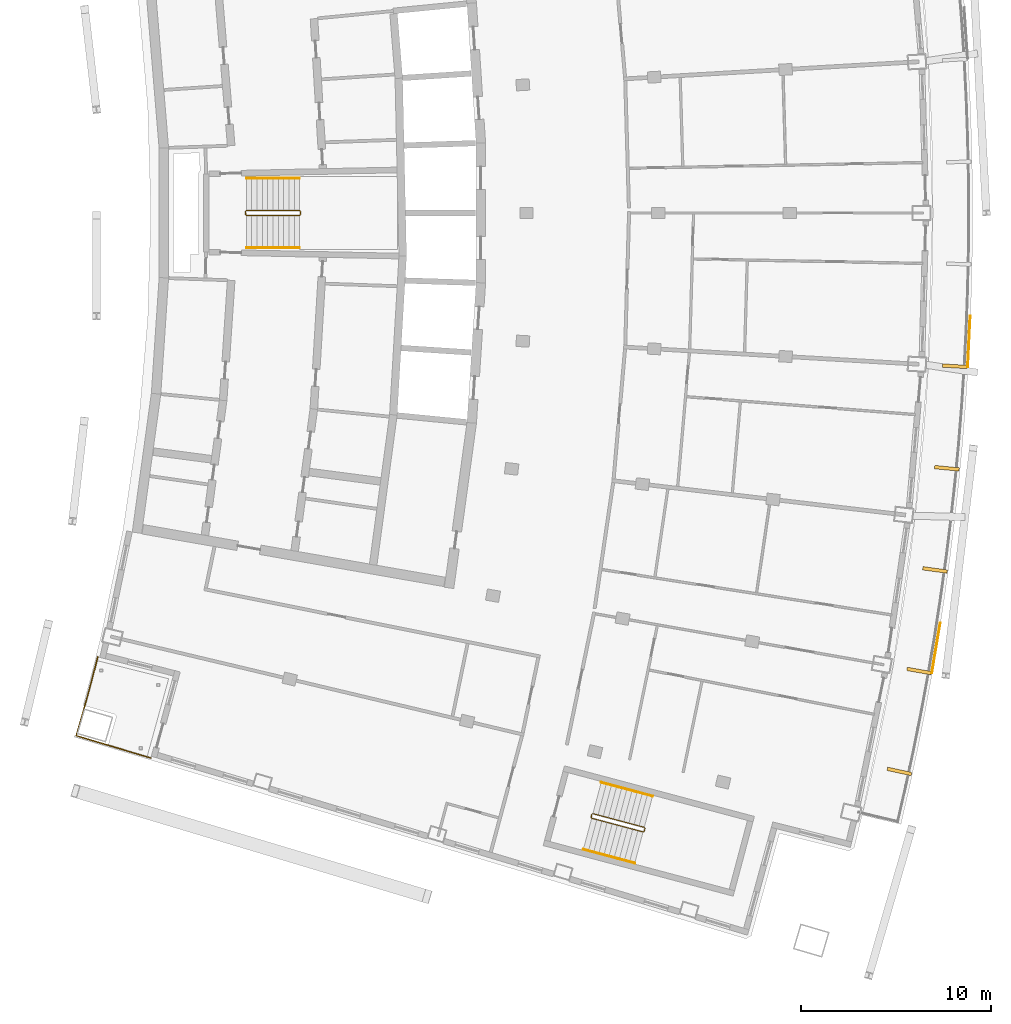
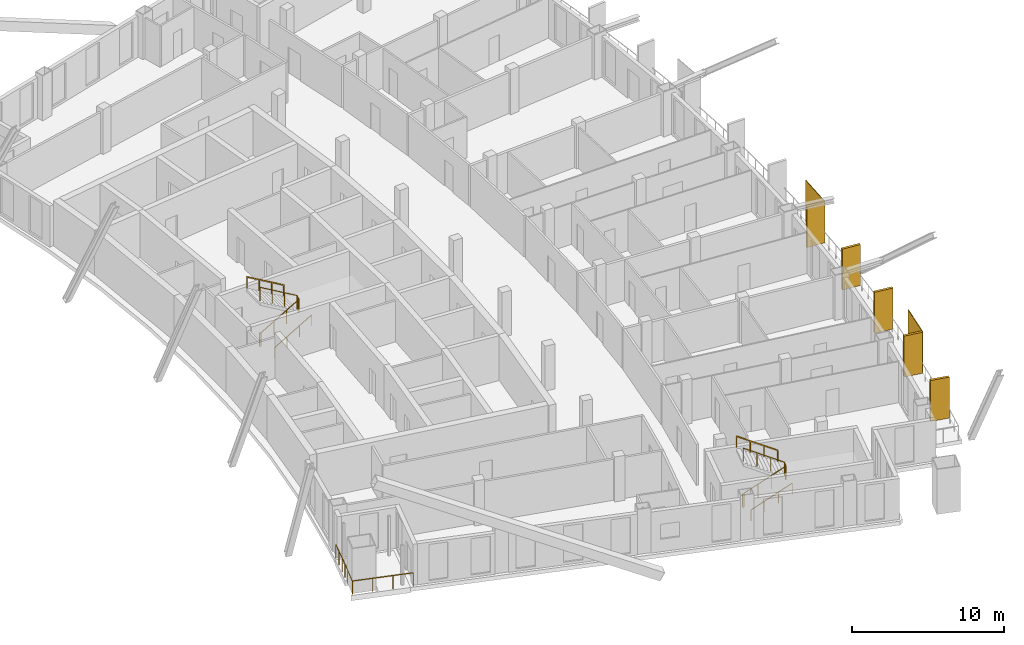
# One storey, part 15 of 17: 7 railings, 7 shading devices.
"""IFC4 building model written with IfcOpenShell, lengths in metres."""

from ifc_helpers import new_model, si_unit, direction, frame, origin, origin_with_axes, origin_2d, place, context, subcontext, project, spatial, rectangle, extrude, material, layer, layer_set, type_object, element, save


model = new_model("IFC4")

# Units and contexts
model_context = context("Model", 3, precision=1e-05, world=origin(), true_north=direction((0.0, 1.0)))
body_context = subcontext(model_context, "Body", "Model", "MODEL_VIEW")
ifc_project = project(units=[si_unit("LENGTHUNIT", "METRE"), si_unit("AREAUNIT", "SQUARE_METRE"), si_unit("VOLUMEUNIT", "CUBIC_METRE"), si_unit("PLANEANGLEUNIT", "RADIAN"), si_unit("MASSUNIT", "GRAM", prefix="KILO")], contexts=[model_context])

# Site, building, storey
site_placement = place(None, origin())
site = spatial("IfcSite", under=ifc_project, at=site_placement, CompositionType="ELEMENT")
building_placement = place(site_placement, origin())
building = spatial("IfcBuilding", under=site, at=building_placement, Name="Alderwake Tower", CompositionType="ELEMENT")
storey_placement = place(building_placement, frame((0.0, 0.0, 256.39990234375)))
storey = spatial("IfcBuildingStorey", under=building, at=storey_placement, Name="L63", CompositionType="ELEMENT", Elevation=256.39990234375)

# Railing
ifc_material_1 = material(Name="Stainless steel 316 rail and posts", Category="steel")
railing_type_1 = type_object("IfcRailingType", Name="Balcony guard 1100", PredefinedType="GUARDRAIL", material=ifc_material_1)
railing_1_placement = place(storey_placement, frame((13.210693359375, 37.612548828125, 0.0)))
element("IfcRailing", 1, at=railing_1_placement, inside=storey, type_object=railing_type_1, Name="Guard terrace RS", PredefinedType="GUARDRAIL", context=body_context, shape_type="SweptSolid", body=[
    extrude(rectangle(XDim=0.048095703125, YDim=0.048095703125, at=origin_2d()), frame((0.0, 0.0, 1.076171875), z_axis=(-0.251385381433, -0.967887075026, 0.0), x_axis=(0.967887075026, -0.251385381433, 0.0)), (0.0, 0.0, 1.0), 1.6015625),
    extrude(rectangle(XDim=0.048095703125, YDim=0.048095703125, at=origin_2d()), frame((-0.402587890625, -1.550048828125, 1.076171875), z_axis=(-0.266520638672, -0.963829211615, 0.0), x_axis=(0.963829211615, -0.266520638672, 0.0)), (0.0, 0.0, 1.0), 1.401611328125),
    extrude(rectangle(XDim=0.048095703125, YDim=0.048095703125, at=origin_2d()), frame((-0.776123046875, -2.90087890625, 1.076171875), z_axis=(-0.280093650878, -0.959972680204, 0.0), x_axis=(0.959972680204, -0.280093650878, 0.0)), (0.0, 0.0, 1.0), 1.30126953125),
    extrude(rectangle(XDim=0.048095703125, YDim=0.048095703125, at=origin_2d()), frame((-1.140625, -4.150146484375, 1.076171875), z_axis=(0.958066871889, -0.286544706789, 0.0), x_axis=(0.286544706789, 0.958066871889, 0.0)), (0.0, 0.0, 1.0), 4.099853515625),
    extrude(rectangle(XDim=0.0419921875, YDim=0.0419921875, at=origin_2d()), frame((0.0, 0.0, 0.0), z_axis=(0.0, 0.0, 1.0), x_axis=(-0.251385381433, -0.967887075026, 0.0)), (0.0, 0.0, 1.0), 1.052001953125),
    extrude(rectangle(XDim=0.0419921875, YDim=0.0419921875, at=origin_2d()), frame((-0.201171875, -0.77490234375, 0.0), z_axis=(0.0, 0.0, 1.0), x_axis=(-0.251385381433, -0.967887075026, 0.0)), (0.0, 0.0, 1.0), 1.052001953125),
    extrude(rectangle(XDim=0.0419921875, YDim=0.0419921875, at=origin_2d()), frame((-0.402587890625, -1.550048828125, 0.0), z_axis=(0.0, 0.0, 1.0), x_axis=(-0.266520638672, -0.963829211615, 0.0)), (0.0, 0.0, 1.0), 1.052001953125),
    extrude(rectangle(XDim=0.0419921875, YDim=0.0419921875, at=origin_2d()), frame((-0.58935546875, -2.2255859375, 0.0), z_axis=(0.0, 0.0, 1.0), x_axis=(-0.266520638672, -0.963829211615, 0.0)), (0.0, 0.0, 1.0), 1.052001953125),
    extrude(rectangle(XDim=0.0419921875, YDim=0.0419921875, at=origin_2d()), frame((-0.776123046875, -2.90087890625, 0.0), z_axis=(0.0, 0.0, 1.0), x_axis=(-0.280093650878, -0.959972680204, 0.0)), (0.0, 0.0, 1.0), 1.052001953125),
    extrude(rectangle(XDim=0.0419921875, YDim=0.0419921875, at=origin_2d()), frame((-1.140625, -4.150146484375, 0.0), z_axis=(0.0, 0.0, 1.0), x_axis=(0.958066871889, -0.286544706789, 0.0)), (0.0, 0.0, 1.0), 1.052001953125),
    extrude(rectangle(XDim=0.0419921875, YDim=0.0419921875, at=origin_2d()), frame((0.168701171875, -4.541748046875, 0.0), z_axis=(0.0, 0.0, 1.0), x_axis=(0.958066871889, -0.286544706789, 0.0)), (0.0, 0.0, 1.0), 1.052001953125),
    extrude(rectangle(XDim=0.0419921875, YDim=0.0419921875, at=origin_2d()), frame((1.47802734375, -4.933349609375, 0.0), z_axis=(0.0, 0.0, 1.0), x_axis=(0.958066871889, -0.286544706789, 0.0)), (0.0, 0.0, 1.0), 1.052001953125),
    extrude(rectangle(XDim=0.0419921875, YDim=0.0419921875, at=origin_2d()), frame((2.787353515625, -5.324951171875, 0.0), z_axis=(0.0, 0.0, 1.0), x_axis=(0.958066871889, -0.286544706789, 0.0)), (0.0, 0.0, 1.0), 1.052001953125),
])

# Shading devices
ifc_material_2 = material(Name="Bronze anodised aluminium", Category="aluminium")
ifc_layer_1 = layer(ifc_material_2, 0.179931640625)
ifc_layer_set_1 = layer_set([ifc_layer_1], Name="Facade fin 1300")
shading_device_type_1 = type_object("IfcShadingDeviceType", Name="Facade fin 1300", PredefinedType="USERDEFINED", material=ifc_layer_set_1)
for number, where, z_axis, x_axis, name in (
    (2, (55.44140625, 31.5791015625, 0.0), (0.0, 0.0, 1.0), (0.977210363881, -0.212273184185, 0.0), "Fin"),
    (3, (56.483154296875, 36.86865234375, 0.0), (0.0, 0.0, 1.0), (0.984726421654, -0.174108800747, 0.0), "Fin"),
    (4, (57.318359375, 42.194580078125, 0.0), (0.0, 0.0, 1.0), (0.990752577235, -0.135680988728, 0.0), "Fin"),
    (5, (57.94580078125, 47.54931640625, 0.0), (0.0, 0.0, 1.0), (0.995279882363, -0.097046152751, 0.0), "Fin"),
    (6, (58.364501953125, 52.92431640625, 0.0), (0.0, 0.0, 1.0), (0.998301080988, -0.058266214038, 0.0), "Fin"),
):
    element("IfcShadingDevice", number, at=place(storey_placement, frame(where, z_axis=z_axis, x_axis=x_axis)), inside=storey, type_object=shading_device_type_1, Name=name, ObjectType="FIN", PredefinedType="USERDEFINED", context=body_context, shape_type="SweptSolid", body=[
        extrude(rectangle(XDim=1.300048828125, YDim=0.179931640625, at=origin_2d()), origin(), (0.0, 0.0, 1.0), 3.280029296875),
    ])
ifc_material_3 = material(Name="Perforated bronze anodised aluminium", Category="aluminium")
ifc_layer_2 = layer(ifc_material_3, 0.050048828125)
ifc_layer_set_2 = layer_set([ifc_layer_2], Name="Perforated screen panel")
shading_device_type_2 = type_object("IfcShadingDeviceType", Name="Perforated screen panel", PredefinedType="USERDEFINED", material=ifc_layer_set_2)
for number, where, z_axis, x_axis, name in (
    (7, (57.3701171875, 38.08349609375, 0.0), (0.0, 0.0, 1.0), (0.986369013299, -0.164548380739, 0.0), "Screen panel"),
    (8, (59.10400390625, 54.234130859375, 0.0), (0.0, 0.0, 1.0), (0.998819231138, -0.048581308217, 0.0), "Screen panel"),
):
    element("IfcShadingDevice", number, at=place(storey_placement, frame(where, z_axis=z_axis, x_axis=x_axis)), inside=storey, type_object=shading_device_type_2, Name=name, ObjectType="SCREEN", PredefinedType="USERDEFINED", context=body_context, shape_type="SweptSolid", body=[
        extrude(rectangle(XDim=0.050048828125, YDim=2.701904296875, at=origin_2d()), origin(), (0.0, 0.0, 1.0), 3.280029296875),
    ])

# Railings
ifc_material_4 = material(Name="Stainless steel guard", Category="steel")
railing_type_2 = type_object("IfcRailingType", Name="Stair guard 1100", PredefinedType="GUARDRAIL", material=ifc_material_4)
railing_2_placement = place(storey_placement, frame((20.989990234375, 60.925048828125, 0.0)))
element("IfcRailing", 9, at=railing_2_placement, inside=storey, type_object=railing_type_2, Name="L63 ST-B stair guard 1", PredefinedType="GUARDRAIL", context=body_context, shape_type="SweptSolid", body=[
    extrude(rectangle(XDim=0.048095703125, YDim=0.048095703125, at=origin_2d()), frame((0.0, 0.0, 1.076171875), z_axis=(0.0, 1.0, 0.0), x_axis=(-1.0, 0.0, 0.0)), (0.0, 0.0, 1.0), 0.14990234375),
    extrude(rectangle(XDim=0.048095703125, YDim=0.048095703125, at=origin_2d()), frame((0.0, 0.14990234375, 1.076171875), z_axis=(0.190089865108, -0.759432192796, 0.622196582865), x_axis=(0.970072785993, 0.242814311512, 0.0)), (0.0, 0.0, 1.0), 0.26318359375),
    extrude(rectangle(XDim=0.048095703125, YDim=0.048095703125, at=origin_2d()), frame((0.050048828125, -0.050048828125, 1.23974609375), z_axis=(0.863393664356, 0.0, 0.504530851732), x_axis=(0.0, 1.0, 0.0)), (0.0, 0.0, 1.0), 3.2431640625),
    extrude(rectangle(XDim=0.048095703125, YDim=0.048095703125, at=origin_2d()), frame((2.85009765625, -0.050048828125, 2.8759765625), z_axis=(0.705375805398, 0.708833529934, 0.0), x_axis=(-0.708833529934, 0.705375805398, 0.0)), (0.0, 0.0, 1.0), 0.070556640625),
    extrude(rectangle(XDim=0.048095703125, YDim=0.048095703125, at=origin_2d()), frame((2.89990234375, 0.0, 2.8759765625), z_axis=(0.0, 1.0, 0.0), x_axis=(-1.0, 0.0, 0.0)), (0.0, 0.0, 1.0), 0.14990234375),
    extrude(rectangle(XDim=0.048095703125, YDim=0.048095703125, at=origin_2d()), frame((2.89990234375, 0.14990234375, 2.8759765625), z_axis=(-0.279546231943, 0.280916556609, 0.91811752648), x_axis=(-0.708833529934, -0.705375805398, 0.0)), (0.0, 0.0, 1.0), 0.17822265625),
    extrude(rectangle(XDim=0.048095703125, YDim=0.048095703125, at=origin_2d()), frame((2.85009765625, 0.199951171875, 3.03955078125), z_axis=(-0.863360870873, 0.0, 0.504586966384), x_axis=(0.0, -1.0, 0.0)), (0.0, 0.0, 1.0), 3.2431640625),
    extrude(rectangle(XDim=0.0419921875, YDim=0.0419921875, at=origin_2d()), frame((0.0, 0.0, 0.0), z_axis=(0.0, 0.0, 1.0), x_axis=(0.0, 1.0, 0.0)), (0.0, 0.0, 1.0), 1.052001953125),
    extrude(rectangle(XDim=0.0419921875, YDim=0.0419921875, at=origin_2d()), frame((0.0, 0.14990234375, 0.0), z_axis=(0.0, 0.0, 1.0), x_axis=(0.242814311512, -0.970072785993, 0.0)), (0.0, 0.0, 1.0), 1.052001953125),
    extrude(rectangle(XDim=0.0419921875, YDim=0.0419921875, at=origin_2d()), frame((0.050048828125, -0.050048828125, 0.163818359375), z_axis=(0.0, 0.0, 1.0), x_axis=(1.0, 0.0, 0.0)), (0.0, 0.0, 1.0), 1.052001953125),
    extrude(rectangle(XDim=0.0419921875, YDim=0.0419921875, at=origin_2d()), frame((0.9833984375, -0.050048828125, 0.709228515625), z_axis=(0.0, 0.0, 1.0), x_axis=(1.0, 0.0, 0.0)), (0.0, 0.0, 1.0), 1.052001953125),
    extrude(rectangle(XDim=0.0419921875, YDim=0.0419921875, at=origin_2d()), frame((1.916748046875, -0.050048828125, 1.254638671875), z_axis=(0.0, 0.0, 1.0), x_axis=(1.0, 0.0, 0.0)), (0.0, 0.0, 1.0), 1.052001953125),
    extrude(rectangle(XDim=0.0419921875, YDim=0.0419921875, at=origin_2d()), frame((2.85009765625, -0.050048828125, 1.800048828125), z_axis=(0.0, 0.0, 1.0), x_axis=(0.705375805398, 0.708833529934, 0.0)), (0.0, 0.0, 1.0), 1.052001953125),
    extrude(rectangle(XDim=0.0419921875, YDim=0.0419921875, at=origin_2d()), frame((2.89990234375, 0.0, 1.800048828125), z_axis=(0.0, 0.0, 1.0), x_axis=(0.0, 1.0, 0.0)), (0.0, 0.0, 1.0), 1.052001953125),
    extrude(rectangle(XDim=0.0419921875, YDim=0.0419921875, at=origin_2d()), frame((2.89990234375, 0.14990234375, 1.800048828125), z_axis=(0.0, 0.0, 1.0), x_axis=(-0.705375805398, 0.708833529934, 0.0)), (0.0, 0.0, 1.0), 1.052001953125),
    extrude(rectangle(XDim=0.0419921875, YDim=0.0419921875, at=origin_2d()), frame((2.85009765625, 0.199951171875, 1.963623046875), z_axis=(0.0, 0.0, 1.0), x_axis=(-1.0, 0.0, 0.0)), (0.0, 0.0, 1.0), 1.052001953125),
    extrude(rectangle(XDim=0.0419921875, YDim=0.0419921875, at=origin_2d()), frame((1.916748046875, 0.199951171875, 2.509033203125), z_axis=(0.0, 0.0, 1.0), x_axis=(-1.0, 0.0, 0.0)), (0.0, 0.0, 1.0), 1.052001953125),
    extrude(rectangle(XDim=0.0419921875, YDim=0.0419921875, at=origin_2d()), frame((0.9833984375, 0.199951171875, 3.0546875), z_axis=(0.0, 0.0, 1.0), x_axis=(-1.0, 0.0, 0.0)), (0.0, 0.0, 1.0), 1.052001953125),
    extrude(rectangle(XDim=0.0419921875, YDim=0.0419921875, at=origin_2d()), frame((0.050048828125, 0.199951171875, 3.60009765625), z_axis=(0.0, 0.0, 1.0), x_axis=(-1.0, 0.0, 0.0)), (0.0, 0.0, 1.0), 1.052001953125),
])
railing_3_placement = place(storey_placement, frame((39.1943359375, 29.17431640625, 0.0)))
element("IfcRailing", 10, at=railing_3_placement, inside=storey, type_object=railing_type_2, Name="L63 ST-C stair guard 1", PredefinedType="GUARDRAIL", context=body_context, shape_type="SweptSolid", body=[
    extrude(rectangle(XDim=0.048095703125, YDim=0.048095703125, at=origin_2d()), frame((0.0, 0.0, 1.076171875), z_axis=(0.257459803502, 0.966289009345, 0.0), x_axis=(-0.966289009345, 0.257459803502, 0.0)), (0.0, 0.0, 1.0), 0.14990234375),
    extrude(rectangle(XDim=0.048095703125, YDim=0.048095703125, at=origin_2d()), frame((0.03857421875, 0.144775390625, 1.076171875), z_axis=(-0.012055935761, -0.782708444821, 0.622271761226), x_axis=(0.999881397308, -0.015401016783, 0.0)), (0.0, 0.0, 1.0), 0.26318359375),
    extrude(rectangle(XDim=0.048095703125, YDim=0.048095703125, at=origin_2d()), frame((0.035400390625, -0.061279296875, 1.23974609375), z_axis=(0.834313512087, -0.222222637163, 0.504517653885), x_axis=(0.257380452725, 0.966310148221, 0.0)), (0.0, 0.0, 1.0), 3.2431640625),
    extrude(rectangle(XDim=0.048095703125, YDim=0.048095703125, at=origin_2d()), frame((2.7412109375, -0.781982421875, 2.8759765625), z_axis=(0.865031189262, 0.501718089772, 0.0), x_axis=(-0.501718089772, 0.865031189262, 0.0)), (0.0, 0.0, 1.0), 0.070556640625),
    extrude(rectangle(XDim=0.048095703125, YDim=0.048095703125, at=origin_2d()), frame((2.80224609375, -0.74658203125, 2.8759765625), z_axis=(0.257055032184, 0.966396766566, 0.0), x_axis=(-0.966396766566, 0.257055032184, 0.0)), (0.0, 0.0, 1.0), 0.150146484375),
    extrude(rectangle(XDim=0.048095703125, YDim=0.048095703125, at=origin_2d()), frame((2.8408203125, -0.6015625, 2.8759765625), z_axis=(-0.198625291617, 0.343827228937, 0.91778583023), x_axis=(-0.865898279276, -0.500220121494, 0.0)), (0.0, 0.0, 1.0), 0.17822265625),
    extrude(rectangle(XDim=0.048095703125, YDim=0.048095703125, at=origin_2d()), frame((2.805419921875, -0.540283203125, 3.03955078125), z_axis=(-0.834258940753, 0.22222815314, 0.504605457487), x_axis=(-0.257402139082, -0.966304371715, 0.0)), (0.0, 0.0, 1.0), 3.2431640625),
    extrude(rectangle(XDim=0.0419921875, YDim=0.0419921875, at=origin_2d()), frame((0.0, 0.0, 0.0), z_axis=(0.0, 0.0, 1.0), x_axis=(0.257459803502, 0.966289009345, 0.0)), (0.0, 0.0, 1.0), 1.052001953125),
    extrude(rectangle(XDim=0.0419921875, YDim=0.0419921875, at=origin_2d()), frame((0.03857421875, 0.144775390625, 0.0), z_axis=(0.0, 0.0, 1.0), x_axis=(-0.015401016783, -0.999881397308, 0.0)), (0.0, 0.0, 1.0), 1.052001953125),
    extrude(rectangle(XDim=0.0419921875, YDim=0.0419921875, at=origin_2d()), frame((0.035400390625, -0.061279296875, 0.163818359375), z_axis=(0.0, 0.0, 1.0), x_axis=(0.966310148221, -0.257380452725, 0.0)), (0.0, 0.0, 1.0), 1.052001953125),
    extrude(rectangle(XDim=0.0419921875, YDim=0.0419921875, at=origin_2d()), frame((0.937255859375, -0.301513671875, 0.709228515625), z_axis=(0.0, 0.0, 1.0), x_axis=(0.966310148221, -0.257380452725, 0.0)), (0.0, 0.0, 1.0), 1.052001953125),
    extrude(rectangle(XDim=0.0419921875, YDim=0.0419921875, at=origin_2d()), frame((1.83935546875, -0.541748046875, 1.254638671875), z_axis=(0.0, 0.0, 1.0), x_axis=(0.966310148221, -0.257380452725, 0.0)), (0.0, 0.0, 1.0), 1.052001953125),
    extrude(rectangle(XDim=0.0419921875, YDim=0.0419921875, at=origin_2d()), frame((2.7412109375, -0.781982421875, 1.800048828125), z_axis=(0.0, 0.0, 1.0), x_axis=(0.865031189262, 0.501718089772, 0.0)), (0.0, 0.0, 1.0), 1.052001953125),
    extrude(rectangle(XDim=0.0419921875, YDim=0.0419921875, at=origin_2d()), frame((2.80224609375, -0.74658203125, 1.800048828125), z_axis=(0.0, 0.0, 1.0), x_axis=(0.257055032184, 0.966396766566, 0.0)), (0.0, 0.0, 1.0), 1.052001953125),
    extrude(rectangle(XDim=0.0419921875, YDim=0.0419921875, at=origin_2d()), frame((2.8408203125, -0.6015625, 1.800048828125), z_axis=(0.0, 0.0, 1.0), x_axis=(-0.500220121494, 0.865898279276, 0.0)), (0.0, 0.0, 1.0), 1.052001953125),
    extrude(rectangle(XDim=0.0419921875, YDim=0.0419921875, at=origin_2d()), frame((2.805419921875, -0.540283203125, 1.963623046875), z_axis=(0.0, 0.0, 1.0), x_axis=(-0.966304371715, 0.257402139082, 0.0)), (0.0, 0.0, 1.0), 1.052001953125),
    extrude(rectangle(XDim=0.0419921875, YDim=0.0419921875, at=origin_2d()), frame((1.903564453125, -0.300048828125, 2.509033203125), z_axis=(0.0, 0.0, 1.0), x_axis=(-0.966304371715, 0.257402139082, 0.0)), (0.0, 0.0, 1.0), 1.052001953125),
    extrude(rectangle(XDim=0.0419921875, YDim=0.0419921875, at=origin_2d()), frame((1.001708984375, -0.059814453125, 3.0546875), z_axis=(0.0, 0.0, 1.0), x_axis=(-0.966304371715, 0.257402139082, 0.0)), (0.0, 0.0, 1.0), 1.052001953125),
    extrude(rectangle(XDim=0.0419921875, YDim=0.0419921875, at=origin_2d()), frame((0.099853515625, 0.180419921875, 3.60009765625), z_axis=(0.0, 0.0, 1.0), x_axis=(-0.966304371715, 0.257402139082, 0.0)), (0.0, 0.0, 1.0), 1.052001953125),
])
ifc_material_5 = material(Name="Stainless steel handrail", Category="steel")
railing_type_3 = type_object("IfcRailingType", Name="Stair handrail 900", PredefinedType="HANDRAIL", material=ifc_material_5)
railing_4_placement = place(storey_placement, frame((21.0400390625, 59.175048828125, 0.163818359375)))
element("IfcRailing", 11, at=railing_4_placement, inside=storey, type_object=railing_type_3, Name="L63 ST-B stair handrail 1", PredefinedType="HANDRAIL", context=body_context, shape_type="SweptSolid", body=[
    extrude(rectangle(XDim=0.048095703125, YDim=0.048095703125, at=origin_2d()), frame((0.0, 0.0, 0.8759765625), z_axis=(0.863393664356, 0.0, 0.504530851732), x_axis=(0.0, 1.0, 0.0)), (0.0, 0.0, 1.0), 3.2431640625),
    extrude(rectangle(XDim=0.0419921875, YDim=0.0419921875, at=origin_2d()), origin_with_axes(), (0.0, 0.0, 1.0), 0.851806640625),
    extrude(rectangle(XDim=0.0419921875, YDim=0.0419921875, at=origin_2d()), frame((0.933349609375, 0.0, 0.54541015625), z_axis=(0.0, 0.0, 1.0), x_axis=(1.0, 0.0, 0.0)), (0.0, 0.0, 1.0), 0.851806640625),
    extrude(rectangle(XDim=0.0419921875, YDim=0.0419921875, at=origin_2d()), frame((1.86669921875, 0.0, 1.0908203125), z_axis=(0.0, 0.0, 1.0), x_axis=(1.0, 0.0, 0.0)), (0.0, 0.0, 1.0), 0.851806640625),
    extrude(rectangle(XDim=0.0419921875, YDim=0.0419921875, at=origin_2d()), frame((2.800048828125, 0.0, 1.63623046875), z_axis=(0.0, 0.0, 1.0), x_axis=(1.0, 0.0, 0.0)), (0.0, 0.0, 1.0), 0.851806640625),
])
railing_5_placement = place(storey_placement, frame((23.840087890625, 62.824951171875, 1.963623046875)))
element("IfcRailing", 12, at=railing_5_placement, inside=storey, type_object=railing_type_3, Name="L63 ST-B stair handrail 2", PredefinedType="HANDRAIL", context=body_context, shape_type="SweptSolid", body=[
    extrude(rectangle(XDim=0.048095703125, YDim=0.048095703125, at=origin_2d()), frame((0.0, 0.0, 0.8759765625), z_axis=(-0.863360870873, 0.0, 0.504586966384), x_axis=(0.0, -1.0, 0.0)), (0.0, 0.0, 1.0), 3.2431640625),
    extrude(rectangle(XDim=0.0419921875, YDim=0.0419921875, at=origin_2d()), frame((0.0, 0.0, 0.0), z_axis=(0.0, 0.0, 1.0), x_axis=(-1.0, 0.0, 0.0)), (0.0, 0.0, 1.0), 0.851806640625),
    extrude(rectangle(XDim=0.0419921875, YDim=0.0419921875, at=origin_2d()), frame((-0.933349609375, 0.0, 0.54541015625), z_axis=(0.0, 0.0, 1.0), x_axis=(-1.0, 0.0, 0.0)), (0.0, 0.0, 1.0), 0.851806640625),
    extrude(rectangle(XDim=0.0419921875, YDim=0.0419921875, at=origin_2d()), frame((-1.86669921875, 0.0, 1.091064453125), z_axis=(0.0, 0.0, 1.0), x_axis=(-1.0, 0.0, 0.0)), (0.0, 0.0, 1.0), 0.851806640625),
    extrude(rectangle(XDim=0.0419921875, YDim=0.0419921875, at=origin_2d()), frame((-2.800048828125, 0.0, 1.636474609375), z_axis=(0.0, 0.0, 1.0), x_axis=(-1.0, 0.0, 0.0)), (0.0, 0.0, 1.0), 0.851806640625),
])
railing_6_placement = place(storey_placement, frame((38.792236328125, 27.47021484375, 0.163818359375)))
element("IfcRailing", 13, at=railing_6_placement, inside=storey, type_object=railing_type_3, Name="L63 ST-C stair handrail 1", PredefinedType="HANDRAIL", context=body_context, shape_type="SweptSolid", body=[
    extrude(rectangle(XDim=0.048095703125, YDim=0.048095703125, at=origin_2d()), frame((0.0, 0.0, 0.8759765625), z_axis=(0.834304587439, -0.222165027751, 0.504557782442), x_axis=(0.25732071773, 0.966326056891, 0.0)), (0.0, 0.0, 1.0), 3.242919921875),
    extrude(rectangle(XDim=0.0419921875, YDim=0.0419921875, at=origin_2d()), frame((0.0, 0.0, 0.0), z_axis=(0.0, 0.0, 1.0), x_axis=(0.966326056891, -0.25732071773, 0.0)), (0.0, 0.0, 1.0), 0.851806640625),
    extrude(rectangle(XDim=0.0419921875, YDim=0.0419921875, at=origin_2d()), frame((0.90185546875, -0.240234375, 0.54541015625), z_axis=(0.0, 0.0, 1.0), x_axis=(0.966326056891, -0.25732071773, 0.0)), (0.0, 0.0, 1.0), 0.851806640625),
    extrude(rectangle(XDim=0.0419921875, YDim=0.0419921875, at=origin_2d()), frame((1.8037109375, -0.480224609375, 1.0908203125), z_axis=(0.0, 0.0, 1.0), x_axis=(0.966326056891, -0.25732071773, 0.0)), (0.0, 0.0, 1.0), 0.851806640625),
    extrude(rectangle(XDim=0.0419921875, YDim=0.0419921875, at=origin_2d()), frame((2.70556640625, -0.720458984375, 1.63623046875), z_axis=(0.0, 0.0, 1.0), x_axis=(0.966326056891, -0.25732071773, 0.0)), (0.0, 0.0, 1.0), 0.851806640625),
])
railing_7_placement = place(storey_placement, frame((42.437255859375, 30.276611328125, 1.963623046875)))
element("IfcRailing", 14, at=railing_7_placement, inside=storey, type_object=railing_type_3, Name="L63 ST-C stair handrail 2", PredefinedType="HANDRAIL", context=body_context, shape_type="SweptSolid", body=[
    extrude(rectangle(XDim=0.048095703125, YDim=0.048095703125, at=origin_2d()), frame((0.0, 0.0, 0.8759765625), z_axis=(-0.834258940753, 0.22222815314, 0.504605457487), x_axis=(-0.257402139082, -0.966304371715, 0.0)), (0.0, 0.0, 1.0), 3.2431640625),
    extrude(rectangle(XDim=0.0419921875, YDim=0.0419921875, at=origin_2d()), frame((0.0, 0.0, 0.0), z_axis=(0.0, 0.0, 1.0), x_axis=(-0.966304371715, 0.257402139082, 0.0)), (0.0, 0.0, 1.0), 0.851806640625),
    extrude(rectangle(XDim=0.0419921875, YDim=0.0419921875, at=origin_2d()), frame((-0.90185546875, 0.240234375, 0.54541015625), z_axis=(0.0, 0.0, 1.0), x_axis=(-0.966304371715, 0.257402139082, 0.0)), (0.0, 0.0, 1.0), 0.851806640625),
    extrude(rectangle(XDim=0.0419921875, YDim=0.0419921875, at=origin_2d()), frame((-1.8037109375, 0.48046875, 1.091064453125), z_axis=(0.0, 0.0, 1.0), x_axis=(-0.966304371715, 0.257402139082, 0.0)), (0.0, 0.0, 1.0), 0.851806640625),
    extrude(rectangle(XDim=0.0419921875, YDim=0.0419921875, at=origin_2d()), frame((-2.70556640625, 0.720703125, 1.636474609375), z_axis=(0.0, 0.0, 1.0), x_axis=(-0.966304371715, 0.257402139082, 0.0)), (0.0, 0.0, 1.0), 0.851806640625),
])

save(model, "model.ifc")
